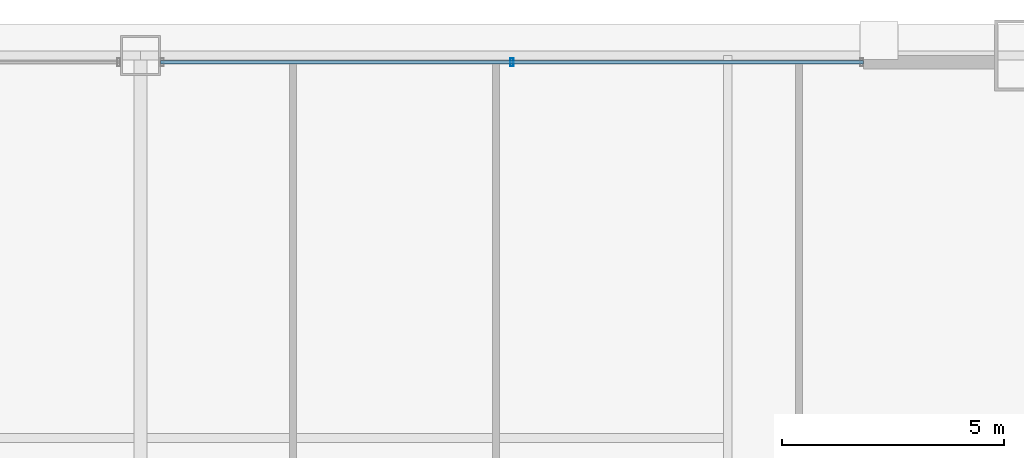
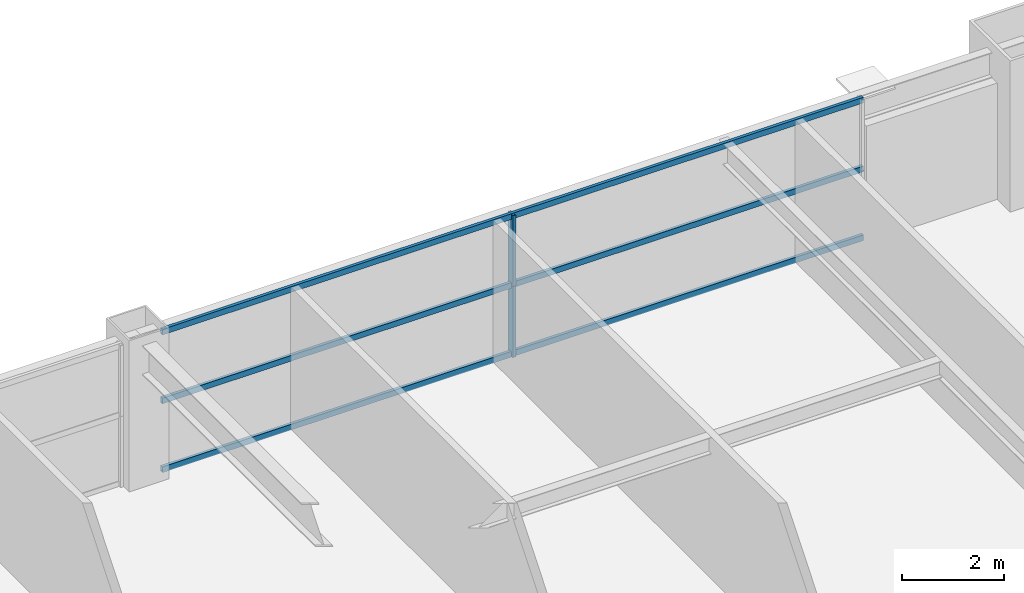
# One storey, part 30 of 38: 5 members, 1 element without a shape of its own.
"""IFC4 building model written with IfcOpenShell, lengths in metres."""

from ifc_helpers import new_model, si_unit, direction, frame, origin, origin_2d, place, context, subcontext, project, spatial, hollow_rectangle, extrude, source, transform, mapped, material, layer, layer_set, material_profile, profile_set, type_object, element, aggregate, save


model = new_model("IFC4")

# Units and contexts
model_context = context("Model", 3, precision=1e-05, world=origin(), true_north=direction((0.0, 1.0)))
body_context = subcontext(model_context, "Body", "Model", "MODEL_VIEW")
ifc_project = project(units=[si_unit("LENGTHUNIT", "METRE"), si_unit("AREAUNIT", "SQUARE_METRE"), si_unit("VOLUMEUNIT", "CUBIC_METRE"), si_unit("PLANEANGLEUNIT", "RADIAN"), si_unit("MASSUNIT", "GRAM", prefix="KILO"), si_unit("THERMODYNAMICTEMPERATUREUNIT", "KELVIN"), si_unit("POWERUNIT", "WATT")], contexts=[model_context])

# Site, building, storey
site_placement = place(None, origin())
site = spatial("IfcSite", under=ifc_project, at=site_placement, CompositionType="ELEMENT")
building_placement = place(site_placement, origin())
building = spatial("IfcBuilding", under=site, at=building_placement, Name="Yuzanri Waterfront Tower", CompositionType="ELEMENT")
storey_placement = place(building_placement, frame((0.0, 0.0, 97.39990234375)))
storey = spatial("IfcBuildingStorey", under=building, at=storey_placement, Name="L25", CompositionType="ELEMENT", Elevation=97.39990234375)

# Curtain wall, members
ifc_material_1 = material(Name="Anodized Architectural Bronze", Category="metal")
ifc_layer = layer(ifc_material_1, 0.159912109375)
ifc_layer_set = layer_set([ifc_layer], Name="Anodized Architectural Bronze")
curtain_wall_type = type_object("IfcCurtainWallType", Name="Anodized Bronze Hotel Upper-Tier Solar-Control Unitized Curtain Wall 7800", PredefinedType="NOTDEFINED", material=ifc_layer_set)
curtain_wall_placement = place(storey_placement, origin())
curtain_wall = element("IfcCurtainWall", 1, at=curtain_wall_placement, inside=storey, type_object=curtain_wall_type, Name="L25 Curtain Wall CW-L25-NR", PredefinedType="NOTDEFINED")
ifc_material_2 = material(Name="Anodized Architectural Bronze", Category="metal")
ifc_material_profile_1 = material_profile(ifc_material_2, hollow_rectangle(XDim=0.070068359375, YDim=0.179931640625, WallThickness=0.00390625, at=origin_2d()), Name="CWM 70x180")
ifc_profile_set_1 = profile_set([ifc_material_profile_1], Name="Anodized Architectural Bronze")
member_type_1 = type_object("IfcMemberType", Name="Anodized Bronze Standard Curtain-Wall Mullion 70x180", PredefinedType="MULLION", material=ifc_profile_set_1)
shared_shape_1 = source(origin(), body_context, "Body", "SweptSolid", [
    extrude(hollow_rectangle(XDim=0.070068359375, YDim=0.179931640625, WallThickness=0.00390625, at=origin_2d()), origin(), (0.0, 0.0, 1.0), 1.68798828125),
])
member_1_placement = place(storey_placement, frame((45.35009765625, 49.25, 0.0), z_axis=(0.0, 0.0, 1.0), x_axis=(1.0, 0.0, 0.0)))
member_1 = element("IfcMember", 2, at=member_1_placement, type_object=member_type_1, Name="CW-L25-NR Lower Mullion 01", PredefinedType="MULLION", context=body_context, shape_type="MappedRepresentation", body=[
    mapped(shared_shape_1, transform((0.0, 0.0, 0.0), scale=1.0)),
])
member_2_placement = place(storey_placement, frame((45.35009765625, 49.25, 1.692138671875), z_axis=(0.0, 0.0, 1.0), x_axis=(1.0, 0.0, 0.0)))
member_2 = element("IfcMember", 3, at=member_2_placement, type_object=member_type_1, Name="CW-L25-NR Upper Mullion 01", PredefinedType="MULLION", context=body_context, shape_type="MappedRepresentation", body=[
    mapped(shared_shape_1, transform((0.0, 0.0, 0.0), scale=1.0)),
])
ifc_material_3 = material(Name="Anodized Architectural Bronze", Category="metal")
ifc_material_profile_2 = material_profile(ifc_material_3, hollow_rectangle(XDim=0.070068359375, YDim=0.135009765625, WallThickness=0.00341796875, at=origin_2d()), Name="CWT 70x135")
ifc_profile_set_2 = profile_set([ifc_material_profile_2], Name="Anodized Architectural Bronze")
member_type_2 = type_object("IfcMemberType", Name="Anodized Bronze Standard Curtain-Wall Transom 70x135", PredefinedType="USERDEFINED", material=ifc_profile_set_2)
shared_shape_2 = source(origin(), body_context, "Body", "SweptSolid", [
    extrude(hollow_rectangle(XDim=0.070068359375, YDim=0.135009765625, WallThickness=0.00341796875, at=origin_2d()), origin(), (0.0, 0.0, 1.0), 15.800048828125),
])
member_3_placement = place(storey_placement, frame((37.449951171875, 49.25, 0.050048828125), z_axis=(1.0, 0.0, 0.0), x_axis=(0.0, 1.0, 0.0)))
member_3 = element("IfcMember", 4, at=member_3_placement, type_object=member_type_2, Name="CW-L25-NR Transom 1", ObjectType="TRANSOM", PredefinedType="USERDEFINED", context=body_context, shape_type="MappedRepresentation", body=[
    mapped(shared_shape_2, transform((0.0, 0.0, 0.0), scale=1.0)),
])
member_4_placement = place(storey_placement, frame((37.449951171875, 49.25, 1.690185546875), z_axis=(1.0, 0.0, 0.0), x_axis=(0.0, 1.0, 0.0)))
member_4 = element("IfcMember", 5, at=member_4_placement, type_object=member_type_2, Name="CW-L25-NR Transom 2", ObjectType="TRANSOM", PredefinedType="USERDEFINED", context=body_context, shape_type="MappedRepresentation", body=[
    mapped(shared_shape_2, transform((0.0, 0.0, 0.0), scale=1.0)),
])
member_5_placement = place(storey_placement, frame((37.449951171875, 49.25, 3.330078125), z_axis=(1.0, 0.0, 0.0), x_axis=(0.0, 1.0, 0.0)))
member_5 = element("IfcMember", 6, at=member_5_placement, type_object=member_type_2, Name="CW-L25-NR Transom 3", ObjectType="TRANSOM", PredefinedType="USERDEFINED", context=body_context, shape_type="MappedRepresentation", body=[
    mapped(shared_shape_2, transform((0.0, 0.0, 0.0), scale=1.0)),
])
aggregate(curtain_wall, [member_1, member_2, member_3, member_4, member_5])

save(model, "model.ifc")
